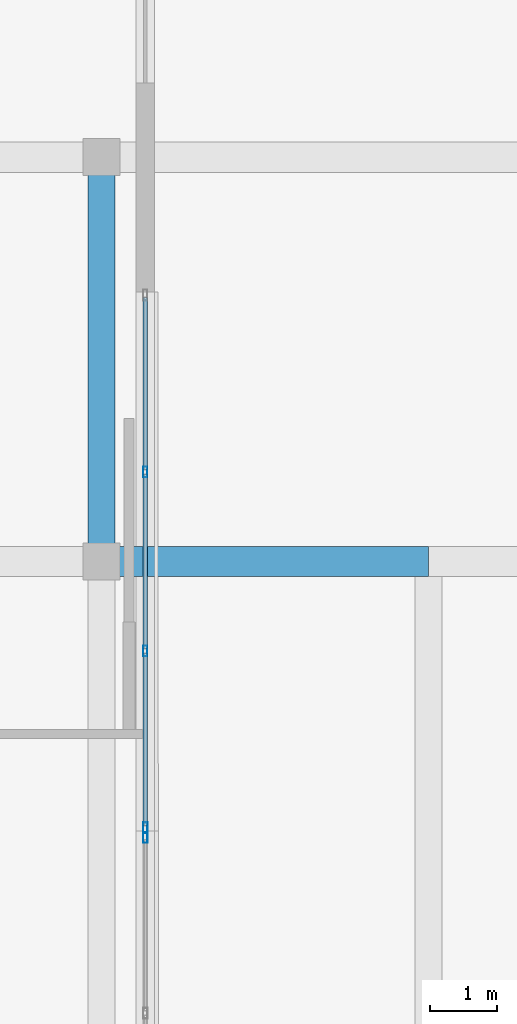
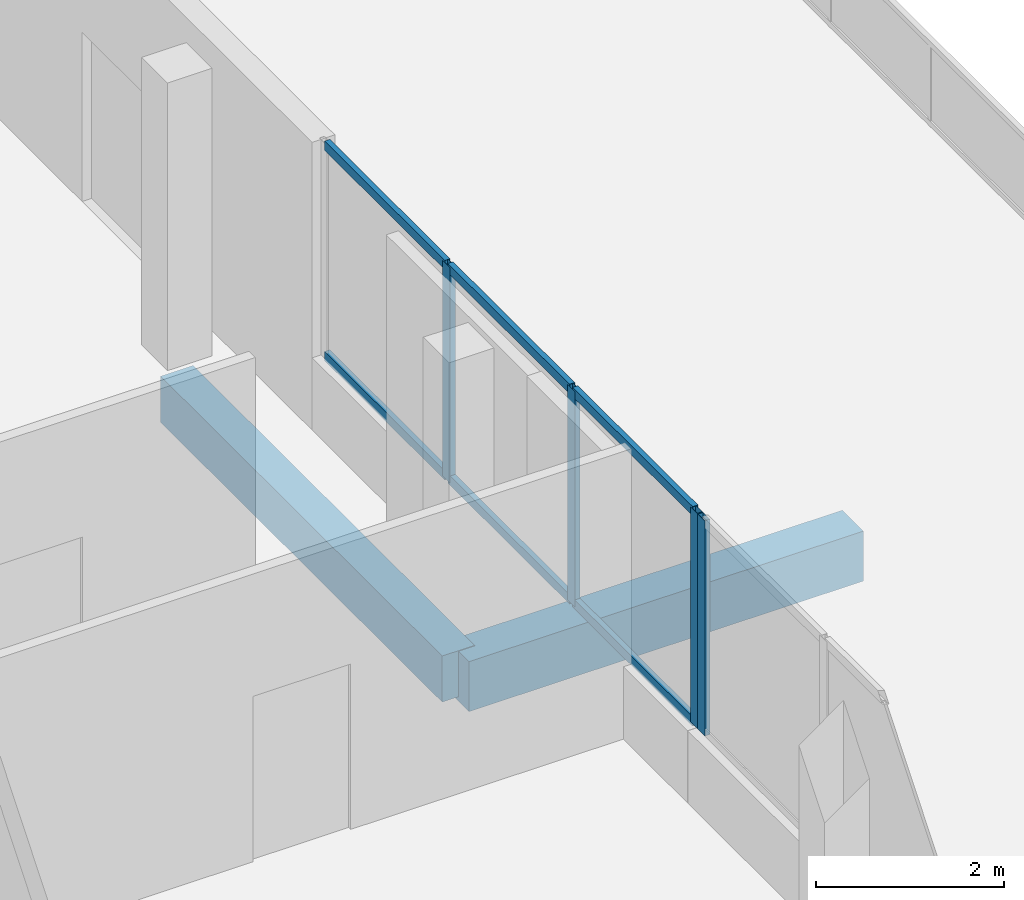
# One storey, part 48 of 67: 10 members, 2 beams, 2 elements without a shape of their own.
"""IFC4 building model written with IfcOpenShell, lengths in metres."""

from ifc_helpers import new_model, si_unit, direction, frame, origin, origin_2d, place, context, subcontext, project, spatial, rectangle, hollow_rectangle, extrude, material, material_profile, profile_set, type_object, element, aggregate, save


model = new_model("IFC4")

# Units and contexts
model_context = context("Model", 3, precision=1e-05, world=origin(), true_north=direction((0.0, 1.0)))
body_context = subcontext(model_context, "Body", "Model", "MODEL_VIEW")
ifc_project = project(units=[si_unit("LENGTHUNIT", "METRE"), si_unit("AREAUNIT", "SQUARE_METRE"), si_unit("VOLUMEUNIT", "CUBIC_METRE"), si_unit("PLANEANGLEUNIT", "RADIAN"), si_unit("MASSUNIT", "GRAM", prefix="KILO")], contexts=[model_context])

# Site, building, storey
site_placement = place(None, origin())
site = spatial("IfcSite", under=ifc_project, at=site_placement, CompositionType="ELEMENT")
building_placement = place(site_placement, origin())
building = spatial("IfcBuilding", under=site, at=building_placement, Name="Selatvlak General Hospital", CompositionType="ELEMENT")
storey_placement = place(building_placement, frame((0.0, 0.0, 35.39990234375)))
storey = spatial("IfcBuildingStorey", under=building, at=storey_placement, Name="L08", CompositionType="ELEMENT", Elevation=35.39990234375)

# Beams
ifc_material_1 = material(Name="Concrete C40/50", Category="concrete")
ifc_material_profile_1 = material_profile(ifc_material_1, rectangle(XDim=0.449951171875, YDim=0.64990234375, at=origin_2d()), Name="RC-BM 450x650")
ifc_profile_set_1 = profile_set([ifc_material_profile_1], Name="Concrete C40/50")
beam_type_1 = type_object("IfcBeamType", Name="BM-G04", PredefinedType="BEAM", material=ifc_profile_set_1)
beam_1_placement = place(storey_placement, frame((156.550048828125, 108.0, -0.596923828125), z_axis=(1.0, 0.0, 0.0), x_axis=(0.0, 1.0, 0.0)))
element("IfcBeam", 1, at=beam_1_placement, inside=storey, type_object=beam_type_1, Name="Beam BMR-L08-2616", PredefinedType="BEAM", context=body_context, shape_type="SweptSolid", body=[
    extrude(rectangle(XDim=0.449951171875, YDim=0.64990234375, at=origin_2d()), origin(), (0.0, 0.0, 1.0), 4.849853515625),
])
ifc_material_profile_2 = material_profile(ifc_material_1, rectangle(XDim=0.39990234375, YDim=0.60009765625, at=origin_2d()), Name="RC-BM 400x600")
ifc_profile_set_2 = profile_set([ifc_material_profile_2], Name="Concrete C40/50")
beam_type_2 = type_object("IfcBeamType", Name="BM-G05", PredefinedType="BEAM", material=ifc_profile_set_2)
beam_2_placement = place(storey_placement, frame((156.550048828125, 108.0, -0.56494140625), z_axis=(0.0, 1.0, 0.0), x_axis=(-1.0, 0.0, 0.0)))
element("IfcBeam", 2, at=beam_2_placement, inside=storey, type_object=beam_type_2, Name="Beam BMR-L08-2709", PredefinedType="BEAM", context=body_context, shape_type="SweptSolid", body=[
    extrude(rectangle(XDim=0.39990234375, YDim=0.60009765625, at=origin_2d()), origin(), (0.0, 0.0, 1.0), 6.0),
])

# Curtain wall, members
ifc_material_2 = material(Name="Solar-control Low-E double glazing", Category="glass")
curtain_wall_type_1 = type_object("IfcCurtainWallType", Name="CW-CW-01", PredefinedType="USERDEFINED", material=ifc_material_2)
curtain_wall_1_placement = place(storey_placement, origin())
curtain_wall_1 = element("IfcCurtainWall", 3, at=curtain_wall_1_placement, inside=storey, type_object=curtain_wall_type_1, Name="Glazed facade curtain wall CW-L08-0698", ObjectType="UNITISED CURTAIN WALL", PredefinedType="USERDEFINED")
ifc_material_3 = material(Name="Dark anodised aluminium mullion", Category="aluminium")
ifc_material_profile_3 = material_profile(ifc_material_3, hollow_rectangle(XDim=0.06494140625, YDim=0.159912109375, WallThickness=0.00390625, at=origin_2d()), Name="AL-MUL 65x160x4")
ifc_profile_set_3 = profile_set([ifc_material_profile_3], Name="Dark anodised aluminium mullion")
member_type_1 = type_object("IfcMemberType", Name="CWM-01", PredefinedType="MULLION", material=ifc_profile_set_3)
member_1_placement = place(storey_placement, frame((157.19921875, 109.32861328125, 0.940185546875), z_axis=(0.0, 0.0, 1.0), x_axis=(0.999999992127, 0.000125486258, 0.0)))
member_1 = element("IfcMember", 4, at=member_1_placement, type_object=member_type_1, Name="CW-01 mullion 2", PredefinedType="MULLION", context=body_context, shape_type="SweptSolid", body=[
    extrude(hollow_rectangle(XDim=0.06494140625, YDim=0.159912109375, WallThickness=0.00390625, at=origin_2d()), origin(), (0.0, 0.0, 1.0), 2.7998046875),
])
member_2_placement = place(storey_placement, frame((157.19970703125, 106.67236328125, 0.940185546875), z_axis=(0.0, 0.0, 1.0), x_axis=(0.999999992127, 0.000125486258, 0.0)))
member_2 = element("IfcMember", 5, at=member_2_placement, type_object=member_type_1, Name="CW-01 mullion 3", PredefinedType="MULLION", context=body_context, shape_type="SweptSolid", body=[
    extrude(hollow_rectangle(XDim=0.06494140625, YDim=0.159912109375, WallThickness=0.00390625, at=origin_2d()), origin(), (0.0, 0.0, 1.0), 2.7998046875),
])
member_3_placement = place(storey_placement, frame((157.199951171875, 104.048583984375, 0.940185546875), z_axis=(0.0, 0.0, 1.0), x_axis=(0.999999992127, 0.000125486258, 0.0)))
member_3 = element("IfcMember", 6, at=member_3_placement, type_object=member_type_1, Name="CW-01 mullion 4", PredefinedType="MULLION", context=body_context, shape_type="SweptSolid", body=[
    extrude(hollow_rectangle(XDim=0.06494140625, YDim=0.159912109375, WallThickness=0.00390625, at=origin_2d()), origin(), (0.0, 0.0, 1.0), 2.7998046875),
])

# Curtain wall, member
curtain_wall_type_2 = type_object("IfcCurtainWallType", Name="CW-CW-02", PredefinedType="USERDEFINED", material=ifc_material_2)
curtain_wall_2_placement = place(storey_placement, origin())
curtain_wall_2 = element("IfcCurtainWall", 7, at=curtain_wall_2_placement, inside=storey, type_object=curtain_wall_type_2, Name="Glazed facade curtain wall CW-L08-0699", ObjectType="UNITISED CURTAIN WALL", PredefinedType="USERDEFINED")
member_4_placement = place(storey_placement, frame((157.199951171875, 103.903564453125, 0.940185546875), z_axis=(0.0, 0.0, 1.0), x_axis=(1.0, 0.0, 0.0)))
member_4 = element("IfcMember", 8, at=member_4_placement, type_object=member_type_1, Name="CW-02 mullion 1", PredefinedType="MULLION", context=body_context, shape_type="SweptSolid", body=[
    extrude(hollow_rectangle(XDim=0.06494140625, YDim=0.159912109375, WallThickness=0.00390625, at=origin_2d()), origin(), (0.0, 0.0, 1.0), 2.7998046875),
])
aggregate(curtain_wall_2, [member_4])

# Member
ifc_material_profile_4 = material_profile(ifc_material_3, hollow_rectangle(XDim=0.06494140625, YDim=0.1201171875, WallThickness=0.00390625, at=origin_2d()), Name="AL-TRN 65x120x4")
ifc_profile_set_4 = profile_set([ifc_material_profile_4], Name="Dark anodised aluminium mullion")
member_type_2 = type_object("IfcMemberType", Name="CWT-01", PredefinedType="USERDEFINED", material=ifc_profile_set_4)
member_5_placement = place(storey_placement, frame((157.198974609375, 111.919921875, 0.97265625), z_axis=(9.5410743e-05, -0.999999995448, 0.0), x_axis=(0.999999995448, 9.5410743e-05, 0.0)))
member_5 = element("IfcMember", 9, at=member_5_placement, type_object=member_type_2, Name="CW-01 transom 1.1", ObjectType="TRANSOM", PredefinedType="USERDEFINED", context=body_context, shape_type="SweptSolid", body=[
    extrude(hollow_rectangle(XDim=0.06494140625, YDim=0.1201171875, WallThickness=0.00390625, at=origin_2d()), origin(), (0.0, 0.0, 1.0), 2.558837890625),
])

member_6_placement = place(storey_placement, frame((157.198974609375, 111.919921875, 3.70751953125), z_axis=(9.5410743e-05, -0.999999995448, 0.0), x_axis=(0.999999995448, 9.5410743e-05, 0.0)))
member_6 = element("IfcMember", 10, at=member_6_placement, type_object=member_type_2, Name="CW-01 transom 1.2", ObjectType="TRANSOM", PredefinedType="USERDEFINED", context=body_context, shape_type="SweptSolid", body=[
    extrude(hollow_rectangle(XDim=0.06494140625, YDim=0.1201171875, WallThickness=0.00390625, at=origin_2d()), origin(), (0.0, 0.0, 1.0), 2.558837890625),
])

member_7_placement = place(storey_placement, frame((157.19921875, 109.296142578125, 0.97265625), z_axis=(0.000188430372, -0.999999982247, 0.0), x_axis=(0.999999982247, 0.000188430372, 0.0)))
member_7 = element("IfcMember", 11, at=member_7_placement, type_object=member_type_2, Name="CW-01 transom 2.1", ObjectType="TRANSOM", PredefinedType="USERDEFINED", context=body_context, shape_type="SweptSolid", body=[
    extrude(hollow_rectangle(XDim=0.06494140625, YDim=0.1201171875, WallThickness=0.00390625, at=origin_2d()), origin(), (0.0, 0.0, 1.0), 2.59130859375),
])

member_8_placement = place(storey_placement, frame((157.19921875, 109.296142578125, 3.70751953125), z_axis=(0.000188430372, -0.999999982247, 0.0), x_axis=(0.999999982247, 0.000188430372, 0.0)))
member_8 = element("IfcMember", 12, at=member_8_placement, type_object=member_type_2, Name="CW-01 transom 2.2", ObjectType="TRANSOM", PredefinedType="USERDEFINED", context=body_context, shape_type="SweptSolid", body=[
    extrude(hollow_rectangle(XDim=0.06494140625, YDim=0.1201171875, WallThickness=0.00390625, at=origin_2d()), origin(), (0.0, 0.0, 1.0), 2.59130859375),
])

member_9_placement = place(storey_placement, frame((157.19970703125, 106.639892578125, 0.97265625), z_axis=(9.5410743e-05, -0.999999995448, 0.0), x_axis=(0.999999995448, 9.5410743e-05, 0.0)))
member_9 = element("IfcMember", 13, at=member_9_placement, type_object=member_type_2, Name="CW-01 transom 3.1", ObjectType="TRANSOM", PredefinedType="USERDEFINED", context=body_context, shape_type="SweptSolid", body=[
    extrude(hollow_rectangle(XDim=0.06494140625, YDim=0.1201171875, WallThickness=0.00390625, at=origin_2d()), origin(), (0.0, 0.0, 1.0), 2.558837890625),
])

member_10_placement = place(storey_placement, frame((157.19970703125, 106.639892578125, 3.70751953125), z_axis=(9.5410743e-05, -0.999999995448, 0.0), x_axis=(0.999999995448, 9.5410743e-05, 0.0)))
member_10 = element("IfcMember", 14, at=member_10_placement, type_object=member_type_2, Name="CW-01 transom 3.2", ObjectType="TRANSOM", PredefinedType="USERDEFINED", context=body_context, shape_type="SweptSolid", body=[
    extrude(hollow_rectangle(XDim=0.06494140625, YDim=0.1201171875, WallThickness=0.00390625, at=origin_2d()), origin(), (0.0, 0.0, 1.0), 2.558837890625),
])

aggregate(curtain_wall_1, [member_1, member_2, member_3, member_5, member_6, member_7, member_8, member_9, member_10])

save(model, "model.ifc")
